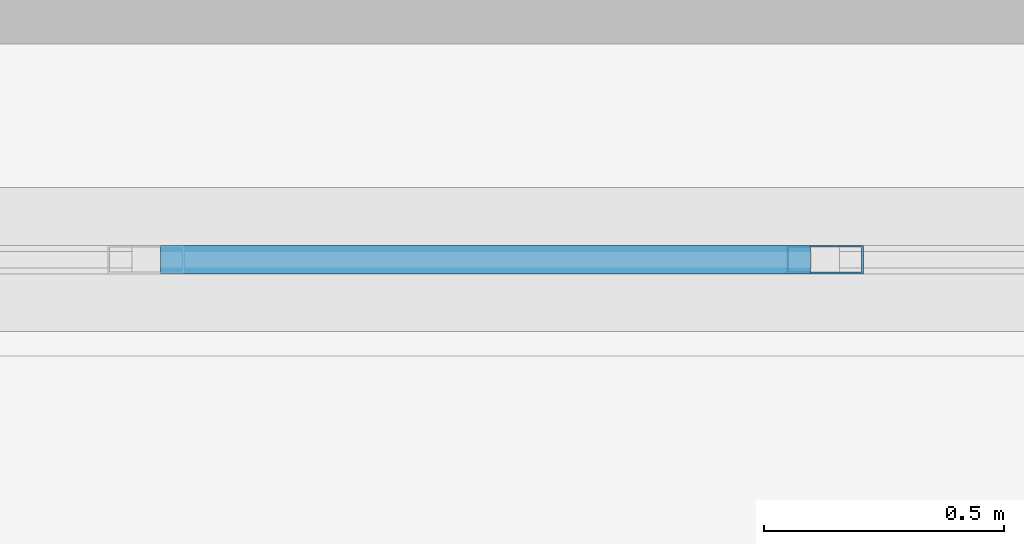
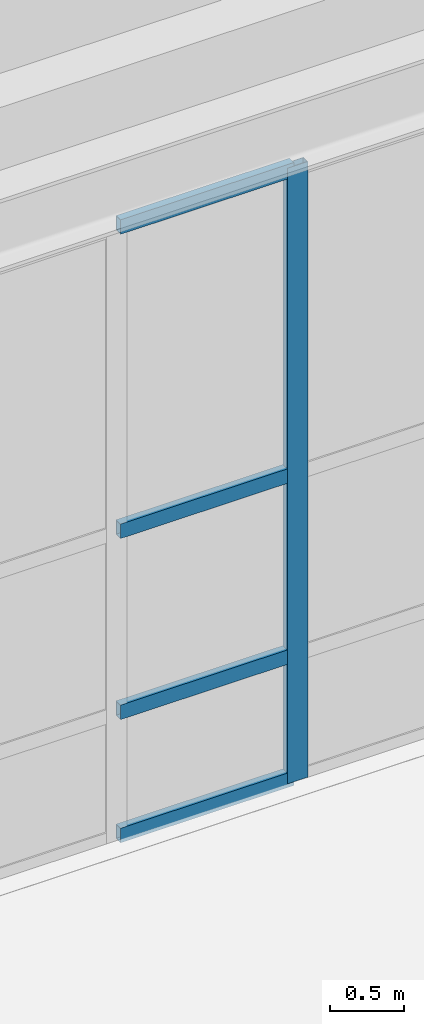
# One storey, part 64 of 146: 5 members, 1 element without a shape of its own.
"""IFC4 building model written with IfcOpenShell, lengths in metres."""

import ifcopenshell
import ifcopenshell.guid

model = None  # the IFC model being written
_history = None  # IfcOwnerHistory: only IFC2X3 demands one
_inside = {}  # id of a spatial element -> (the spatial element, [elements in it])
_under = {}  # id of a project, library or spatial element -> (it, [spatial elements below it])
_declared = {}  # id of a project -> (the project, [libraries it declares])
_typed = {}  # id of a type object -> (the type object, [elements of that type])
_made_of = {}  # id of a material, layer set ... -> (it, [elements and type objects made of it])


def new_model(schema):
    """Start an empty IFC model of exactly this schema.

    Asked for "IFC4X3", IfcOpenShell would pick the latest addendum, in which some entities
    have other attributes; the version numbers below select the first issue.
    IFC2X3 requires an IfcOwnerHistory on every rooted entity: one is made here for all.
    """
    global model, _history
    if schema == "IFC4X3":
        model = ifcopenshell.file(schema_version=(4, 3, 0, 0))
    else:
        model = ifcopenshell.file(schema=schema)
    _inside.clear()
    _under.clear()
    _declared.clear()
    _typed.clear()
    _made_of.clear()
    _history = None
    if model.schema == "IFC2X3":
        org = make("IfcOrganization", Name="unknown")
        user = make(
            "IfcPersonAndOrganization",
            ThePerson=make("IfcPerson", FamilyName="unknown"),
            TheOrganization=org,
        )
        app = make(
            "IfcApplication",
            ApplicationDeveloper=org,
            Version="unknown",
            ApplicationFullName="unknown",
            ApplicationIdentifier="unknown",
        )
        _history = make(
            "IfcOwnerHistory",
            OwningUser=user,
            OwningApplication=app,
            ChangeAction="ADDED",
            CreationDate=0,
        )
    return model


def make(cls, **values):
    """One entity of the class cls with the attributes given. An attribute that is None is left unset."""
    return model.create_entity(
        cls, **{name: value for name, value in values.items() if value is not None}
    )


def rooted(cls, **values):
    """An entity with a GlobalId (a new one), such as an element, a storey or a relation."""
    return make(cls, GlobalId=ifcopenshell.guid.new(), OwnerHistory=_history, **values)


def si_unit(unit_type, name, prefix=None):
    """IfcSIUnit, for example si_unit("LENGTHUNIT", "METRE", prefix="MILLI")."""
    return make("IfcSIUnit", UnitType=unit_type, Prefix=prefix, Name=name)


def assignment(units):
    """IfcUnitAssignment: the units of a project."""
    return None if units is None else make("IfcUnitAssignment", Units=units)


def point(xyz):
    """IfcCartesianPoint."""
    return None if xyz is None else make("IfcCartesianPoint", Coordinates=xyz)


def direction(xyz):
    """IfcDirection."""
    return None if xyz is None else make("IfcDirection", DirectionRatios=xyz)


def frame(location, z_axis=None, x_axis=None):
    """IfcAxis2Placement3D, a coordinate frame: its origin and axes. An axis left out is left unset."""
    return make(
        "IfcAxis2Placement3D",
        Location=point(location),
        Axis=direction(z_axis),
        RefDirection=direction(x_axis),
    )


def frame_2d(location, x_axis=None):
    """IfcAxis2Placement2D, a coordinate frame in the plane: its origin and x axis."""
    return make(
        "IfcAxis2Placement2D", Location=point(location), RefDirection=direction(x_axis)
    )


def origin():
    """The frame at (0, 0, 0) with its axes left unset."""
    return frame((0.0, 0.0, 0.0))


def origin_2d():
    """The frame at (0, 0) in the plane with its x axis left unset."""
    return frame_2d((0.0, 0.0))


def place(relative_to, where):
    """IfcLocalPlacement: puts the frame where relative to a parent placement (None: the world)."""
    return make(
        "IfcLocalPlacement", PlacementRelTo=relative_to, RelativePlacement=where
    )


def context(
    kind, dimensions, precision=None, world=None, true_north=None, identifier=None
):
    """IfcGeometricRepresentationContext, for example the 3D "Model" context."""
    return make(
        "IfcGeometricRepresentationContext",
        ContextIdentifier=identifier,
        ContextType=kind,
        CoordinateSpaceDimension=dimensions,
        Precision=precision,
        WorldCoordinateSystem=world,
        TrueNorth=true_north,
    )


def subcontext(parent, identifier, kind, view, scale=None):
    """IfcGeometricRepresentationSubContext, for example "Body" below "Model"."""
    return make(
        "IfcGeometricRepresentationSubContext",
        ContextIdentifier=identifier,
        ContextType=kind,
        ParentContext=parent,
        TargetScale=scale,
        TargetView=view,
    )


def project(units=None, contexts=None):
    """IfcProject with its units and contexts."""
    return rooted(
        "IfcProject",
        Name="project",
        RepresentationContexts=contexts,
        UnitsInContext=assignment(units),
    )


def spatial(cls, under=None, at=None, **own):
    """A site, building, storey or space (cls), placed at a placement, below another one or the project."""
    s = rooted(cls, ObjectPlacement=at, **own)
    if under is not None:
        _under.setdefault(under.id(), (under, []))[1].append(s)
    return s


def profile(cls, at=None, kind="AREA", **sizes):
    """A parametric profile (cls). Its sizes go by their IFC names, for example OverallWidth=200.0."""
    return make(cls, ProfileType=kind, Position=at, **sizes)


def hollow_rectangle(**sizes):
    """IfcRectangleHollowProfileDef."""
    return profile("IfcRectangleHollowProfileDef", **sizes)


def extrude(swept, where, along, depth):
    """IfcExtrudedAreaSolid: the profile swept, set in the frame where, extruded along a direction by depth."""
    return make(
        "IfcExtrudedAreaSolid",
        SweptArea=swept,
        Position=where,
        ExtrudedDirection=direction(along),
        Depth=depth,
    )


def shape(context_of_items, identifier, shape_type, items):
    """IfcShapeRepresentation: the items that make up one representation, for example the "Body"."""
    return make(
        "IfcShapeRepresentation",
        ContextOfItems=context_of_items,
        RepresentationIdentifier=identifier,
        RepresentationType=shape_type,
        Items=items,
    )


def material(Name=None, Category=None):
    """IfcMaterial."""
    return make("IfcMaterial", Name=Name, Category=Category)


def material_profile(
    of_material, cross_section, Name=None, Category=None, Priority=None
):
    """IfcMaterialProfile: a cross section and its material."""
    return make(
        "IfcMaterialProfile",
        Name=Name,
        Material=of_material,
        Profile=cross_section,
        Priority=Priority,
        Category=Category,
    )


def profile_set(profiles, Name=None, composite=None):
    """IfcMaterialProfileSet."""
    return make(
        "IfcMaterialProfileSet",
        Name=Name,
        MaterialProfiles=profiles,
        CompositeProfile=composite,
    )


def made_of(thing, what):
    """Note that an element or type object is made of a material, layer set ...; save() writes the relation."""
    if what is not None:
        _made_of.setdefault(what.id(), (what, []))[1].append(thing)
    return thing


def type_object(cls, material=None, **own):
    """A type object (cls), such as IfcWallType, which elements share."""
    return made_of(rooted(cls, **own), material)


def element(
    cls,
    number,
    at=None,
    inside=None,
    cuts=None,
    type_object=None,
    material=None,
    context=None,
    identifier="Body",
    shape_type=None,
    held_by="IfcProductDefinitionShape",
    body=None,
    shapes=None,
    **own,
):
    """One element of the class cls, such as IfcWall. Its Tag is "e" and its number.

    at: its placement. inside: the storey or other place that contains it. cuts: it is an
    opening in that element (IfcRelVoidsElement). A single representation is given by context,
    identifier, shape_type and body (its items); several are given by shapes. held_by: the class
    of the entity that holds the representations. save() writes the other relations.
    """
    e = rooted(cls, Tag="e%d" % number, ObjectPlacement=at, **own)
    if body is not None:
        shapes = [shape(context, identifier, shape_type, body)]
    if shapes is not None:
        e.Representation = make(held_by, Representations=shapes)
    if inside is not None:
        _inside.setdefault(inside.id(), (inside, []))[1].append(e)
    if cuts is not None:
        rooted(
            "IfcRelVoidsElement", RelatingBuildingElement=cuts, RelatedOpeningElement=e
        )
    if type_object is not None:
        _typed.setdefault(type_object.id(), (type_object, []))[1].append(e)
    return made_of(e, material)


def aggregate(whole, parts):
    """IfcRelAggregates: a whole, such as a stair, and the parts it consists of."""
    return rooted("IfcRelAggregates", RelatingObject=whole, RelatedObjects=parts)


def save(model, path):
    """Write the relations noted so far, then the file.

    IfcRelAggregates (storeys below a building ...), IfcRelContainedInSpatialStructure (elements
    in a storey), IfcRelDefinesByType, IfcRelAssociatesMaterial and IfcRelDeclares: one each for
    every whole, place, type object, material and project.
    """
    for whole, parts in _under.values():
        aggregate(whole, parts)
    for where, things in _inside.values():
        rooted(
            "IfcRelContainedInSpatialStructure",
            RelatedElements=things,
            RelatingStructure=where,
        )
    for kind, things in _typed.values():
        rooted("IfcRelDefinesByType", RelatedObjects=things, RelatingType=kind)
    for what, things in _made_of.values():
        rooted("IfcRelAssociatesMaterial", RelatedObjects=things, RelatingMaterial=what)
    for by, libraries in _declared.values():
        rooted("IfcRelDeclares", RelatingContext=by, RelatedDefinitions=libraries)
    model.write(path)


model = new_model("IFC4")

# Units and contexts
model_context = context("Model", 3, precision=1e-05, world=origin(), true_north=direction((0.0, 1.0)))
body_context = subcontext(model_context, "Body", "Model", "MODEL_VIEW")
ifc_project = project(units=[si_unit("LENGTHUNIT", "METRE"), si_unit("AREAUNIT", "SQUARE_METRE"), si_unit("VOLUMEUNIT", "CUBIC_METRE"), si_unit("PLANEANGLEUNIT", "RADIAN"), si_unit("MASSUNIT", "GRAM", prefix="KILO")], contexts=[model_context])

# Site, building, storey
site_placement = place(None, origin())
site = spatial("IfcSite", under=ifc_project, at=site_placement, CompositionType="ELEMENT")
building_placement = place(site_placement, origin())
building = spatial("IfcBuilding", under=site, at=building_placement, Name="Kaldris Quays Convention Centre", CompositionType="ELEMENT")
storey_placement = place(building_placement, origin())
storey = spatial("IfcBuildingStorey", under=building, at=storey_placement, Name="L00", CompositionType="ELEMENT", Elevation=0.0)

# Curtain wall, members
ifc_material_1 = material(Name="Anodized aluminium AW-6060 and triple glazing", Category="aluminium")
curtain_wall_type = type_object("IfcCurtainWallType", Name="UNITISED CURTAIN WALL CW04", PredefinedType="NOTDEFINED", material=ifc_material_1)
curtain_wall_placement = place(storey_placement, origin())
curtain_wall = element("IfcCurtainWall", 1, at=curtain_wall_placement, inside=storey, type_object=curtain_wall_type, Name="L00 Unitised Curtain Wall CW04 106", PredefinedType="NOTDEFINED")
ifc_material_2 = material(Name="Anodized aluminium AW-6060", Category="aluminium")
ifc_material_profile_1 = material_profile(ifc_material_2, hollow_rectangle(XDim=0.06005859375, YDim=0.159912109375, WallThickness=0.00390625, at=origin_2d()), Name="RHS 160x60x4")
ifc_profile_set_1 = profile_set([ifc_material_profile_1], Name="Anodized aluminium AW-6060")
member_type_1 = type_object("IfcMemberType", Name="CURTAIN MULLION CWM1", PredefinedType="MULLION", material=ifc_profile_set_1)
member_1_placement = place(storey_placement, frame((131.083251953125, 38.0, 0.0), z_axis=(0.0, 0.0, 1.0), x_axis=(0.0, 1.0, 0.0)))
member_1 = element("IfcMember", 2, at=member_1_placement, type_object=member_type_1, Name="CW04 mullion 3", PredefinedType="MULLION", context=body_context, shape_type="SweptSolid", body=[
    extrude(hollow_rectangle(XDim=0.06005859375, YDim=0.159912109375, WallThickness=0.00390625, at=origin_2d()), origin(), (0.0, 0.0, 1.0), 5.097900390625),
])
ifc_material_profile_2 = material_profile(ifc_material_2, hollow_rectangle(XDim=0.06005859375, YDim=0.1201171875, WallThickness=0.00390625, at=origin_2d()), Name="RHS 120x60x4")
ifc_profile_set_2 = profile_set([ifc_material_profile_2], Name="Anodized aluminium AW-6060")
member_type_2 = type_object("IfcMemberType", Name="CURTAIN TRANSOM CWT1", PredefinedType="USERDEFINED", material=ifc_profile_set_2)
member_2_placement = place(storey_placement, frame((129.69677734375, 38.0, 0.030029296875), z_axis=(1.0, 0.0, 0.0), x_axis=(0.0, 1.0, 0.0)))
member_2 = element("IfcMember", 3, at=member_2_placement, type_object=member_type_2, Name="CW04 transom 2.1", ObjectType="TRANSOM", PredefinedType="USERDEFINED", context=body_context, shape_type="SweptSolid", body=[
    extrude(hollow_rectangle(XDim=0.06005859375, YDim=0.1201171875, WallThickness=0.00390625, at=origin_2d()), origin(), (0.0, 0.0, 1.0), 1.3564453125),
])
member_3_placement = place(storey_placement, frame((129.69677734375, 38.0, 1.050048828125), z_axis=(1.0, 0.0, 0.0), x_axis=(0.0, 1.0, 0.0)))
member_3 = element("IfcMember", 4, at=member_3_placement, type_object=member_type_2, Name="CW04 transom 2.2", ObjectType="TRANSOM", PredefinedType="USERDEFINED", context=body_context, shape_type="SweptSolid", body=[
    extrude(hollow_rectangle(XDim=0.06005859375, YDim=0.1201171875, WallThickness=0.00390625, at=origin_2d()), origin(), (0.0, 0.0, 1.0), 1.3564453125),
])
member_4_placement = place(storey_placement, frame((129.69677734375, 38.0, 2.549072265625), z_axis=(1.0, 0.0, 0.0), x_axis=(0.0, 1.0, 0.0)))
member_4 = element("IfcMember", 5, at=member_4_placement, type_object=member_type_2, Name="CW04 transom 2.3", ObjectType="TRANSOM", PredefinedType="USERDEFINED", context=body_context, shape_type="SweptSolid", body=[
    extrude(hollow_rectangle(XDim=0.06005859375, YDim=0.1201171875, WallThickness=0.00390625, at=origin_2d()), origin(), (0.0, 0.0, 1.0), 1.3564453125),
])
member_5_placement = place(storey_placement, frame((129.69677734375, 38.0, 5.068115234375), z_axis=(1.0, 0.0, 0.0), x_axis=(0.0, 1.0, 0.0)))
member_5 = element("IfcMember", 6, at=member_5_placement, type_object=member_type_2, Name="CW04 transom 2.4", ObjectType="TRANSOM", PredefinedType="USERDEFINED", context=body_context, shape_type="SweptSolid", body=[
    extrude(hollow_rectangle(XDim=0.06005859375, YDim=0.1201171875, WallThickness=0.00390625, at=origin_2d()), origin(), (0.0, 0.0, 1.0), 1.3564453125),
])
aggregate(curtain_wall, [member_1, member_2, member_3, member_4, member_5])

save(model, "model.ifc")
